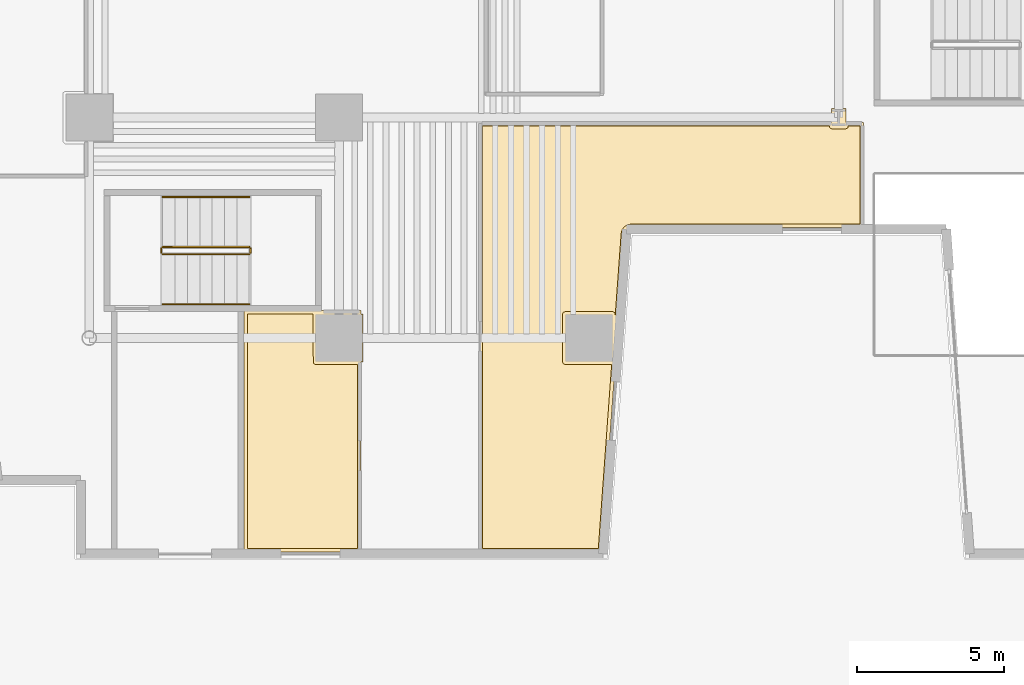
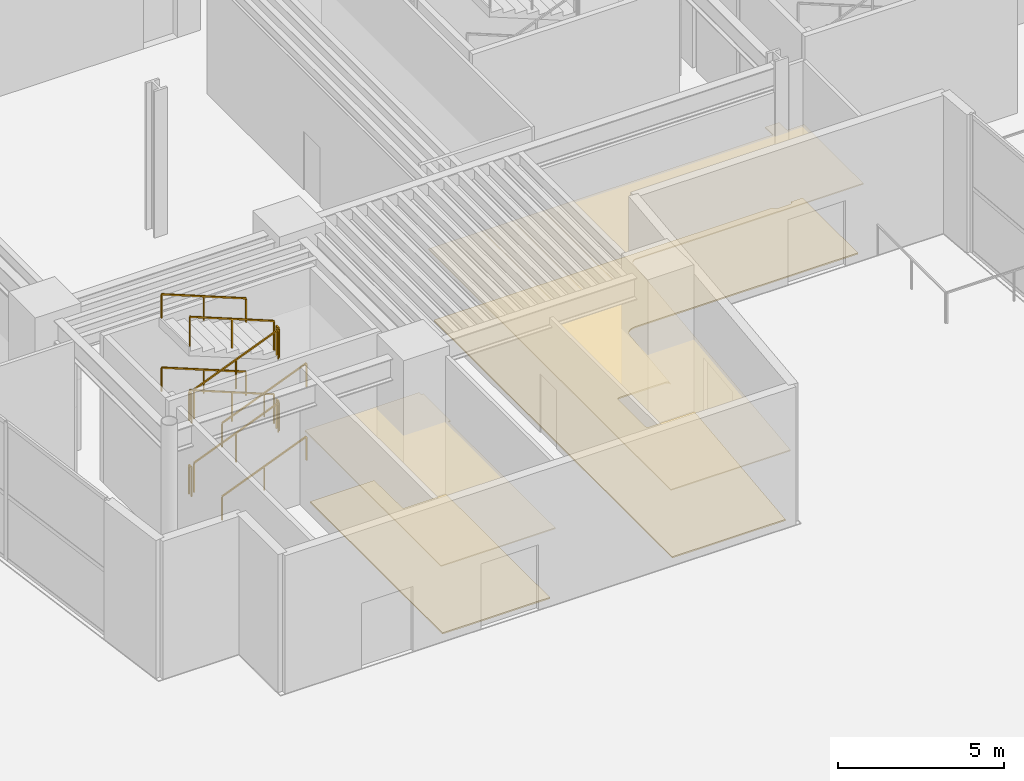
# One storey, part 13 of 18: 12 railings, 4 coverings.
"""IFC4 building model written with IfcOpenShell, lengths in metres."""

from ifc_helpers import new_model, si_unit, direction, frame, origin, origin_2d, place, context, subcontext, project, spatial, polyline, rectangle, outline, extrude, material, layer, layer_set, type_object, element, save


model = new_model("IFC4")

# Units and contexts
model_context = context("Model", 3, precision=1e-05, world=origin(), true_north=direction((0.0, 1.0)))
body_context = subcontext(model_context, "Body", "Model", "MODEL_VIEW")
ifc_project = project(units=[si_unit("LENGTHUNIT", "METRE"), si_unit("AREAUNIT", "SQUARE_METRE"), si_unit("VOLUMEUNIT", "CUBIC_METRE"), si_unit("PLANEANGLEUNIT", "RADIAN"), si_unit("MASSUNIT", "GRAM", prefix="KILO")], contexts=[model_context])

# Site, building, storey
site_placement = place(None, origin())
site = spatial("IfcSite", under=ifc_project, at=site_placement, CompositionType="ELEMENT")
building_placement = place(site_placement, origin())
building = spatial("IfcBuilding", under=site, at=building_placement, Name="Caeloran Harvest Quay", CompositionType="ELEMENT")
storey_placement = place(building_placement, origin())
storey = spatial("IfcBuildingStorey", under=building, at=storey_placement, Name="L01", CompositionType="ELEMENT", Elevation=0.0)

# Coverings
ifc_material_1 = material(Name="Perforated Mineral-Fibre Acoustic Ceiling Tile", Category="ceiling")
ifc_layer_1 = layer(ifc_material_1, 0.0400390625, Name="Perforated Mineral-Fibre Acoustic Ceiling Tile")
ifc_layer_set_1 = layer_set([ifc_layer_1], Name="Perforated Mineral-Fibre Acoustic Ceiling Tile")
covering_type_1 = type_object("IfcCoveringType", Name="COV-CEILING-ACOUSTIC", PredefinedType="CEILING", material=ifc_layer_set_1)
covering_1_placement = place(storey_placement, frame((0.0, 0.0, 2.60009765625)))
element("IfcCovering", 1, at=covering_1_placement, inside=storey, type_object=covering_type_1, Name="South Waterfront Organic Produce Market Stalls Acoustic Ceiling", PredefinedType="CEILING", context=body_context, shape_type="SweptSolid", body=[
    extrude(outline(polyline([(17.739990234375, 0.219970703125), (13.760009765625, 0.219970703125), (13.760009765625, 8.43994140625), (17.739990234375, 8.43994140625), (17.739990234375, 8.320068359375), (17.820068359375, 8.320068359375), (17.820068359375, 6.679931640625), (17.739990234375, 6.679931640625), (17.739990234375, 0.219970703125)])), origin(), (0.0, 0.0, 1.0), 0.039794921875),
])
covering_2_placement = place(storey_placement, frame((0.0, 0.0, 2.60009765625)))
element("IfcCovering", 2, at=covering_2_placement, inside=storey, type_object=covering_type_1, Name="Quayside Bakery and Farm-to-Table Cafe Acoustic Ceiling", PredefinedType="CEILING", context=body_context, shape_type="SweptSolid", body=[
    extrude(outline(polyline([(26.9140625, 11.2587890625), (26.850341796875, 11.24267578125), (26.7783203125, 11.193359375), (26.731201171875, 11.1201171875), (26.716552734375, 11.054931640625), (25.931396484375, 0.219970703125), (21.760009765625, 0.219970703125), (21.760009765625, 14.840087890625), (33.7529296875, 14.840087890625), (33.7529296875, 15.304443359375), (34.2470703125, 15.304443359375), (34.2470703125, 14.840087890625), (34.840087890625, 14.840087890625), (34.840087890625, 11.260009765625), (26.9140625, 11.2587890625)])), origin(), (0.0, 0.0, 1.0), 0.039794921875),
])
ifc_material_2 = material(Name="Calcium-Sulphate Raised Access Floor and Terrazzo Finish", Category="flooring")
ifc_layer_2 = layer(ifc_material_2, 0.050048828125, Name="Calcium-Sulphate Raised Access Floor and Terrazzo Finish")
ifc_layer_set_2 = layer_set([ifc_layer_2], Name="Calcium-Sulphate Raised Access Floor and Terrazzo Finish")
covering_type_2 = type_object("IfcCoveringType", Name="COV-FLOOR-RAISED", PredefinedType="FLOORING", material=ifc_layer_set_2)
covering_3_placement = place(storey_placement, origin())
element("IfcCovering", 3, at=covering_3_placement, inside=storey, type_object=covering_type_2, Name="South Waterfront Organic Produce Market Stalls Raised Finish Flooring", PredefinedType="FLOORING", context=body_context, shape_type="SweptSolid", body=[
    extrude(outline(polyline([(16.105224609375, 8.320068359375), (16.123291015625, 6.63427734375), (16.18505859375, 6.60498046875), (17.6201171875, 6.60498046875), (17.6201171875, 0.340087890625), (13.8798828125, 0.340087890625), (13.8798828125, 8.320068359375), (16.105224609375, 8.320068359375)])), origin(), (0.0, 0.0, 1.0), 0.050048828125),
])
covering_4_placement = place(storey_placement, origin())
element("IfcCovering", 4, at=covering_4_placement, inside=storey, type_object=covering_type_2, Name="Quayside Bakery and Farm-to-Table Cafe Raised Finish Flooring", PredefinedType="FLOORING", context=body_context, shape_type="SweptSolid", body=[
    extrude(outline(polyline([(26.273681640625, 6.60498046875), (25.819580078125, 0.340087890625), (21.8798828125, 0.340087890625), (21.8798828125, 14.719970703125), (33.677978515625, 14.719970703125), (33.6962890625, 14.649658203125), (33.758056640625, 14.62060546875), (34.249755859375, 14.620849609375), (34.30859375, 14.656005859375), (34.322021484375, 14.719970703125), (34.719970703125, 14.719970703125), (34.719970703125, 11.3798828125), (26.93603515625, 11.3798828125), (26.807373046875, 11.354736328125), (26.6953125, 11.27978515625), (26.63134765625, 11.19091796875), (26.597412109375, 11.068603515625), (26.39501953125, 8.278564453125), (26.381591796875, 8.359375), (26.31494140625, 8.39501953125), (24.68505859375, 8.39501953125), (24.63427734375, 8.376708984375), (24.60546875, 8.32275390625), (24.60498046875, 6.68505859375), (24.62841796875, 6.62841796875), (24.68505859375, 6.60498046875), (26.273681640625, 6.60498046875)])), origin(), (0.0, 0.0, 1.0), 0.050048828125),
])

# Railings
ifc_material_3 = material(Name="Painted Steel Baluster and Top-Rail Stair Guard", Category="steel")
ifc_layer_3 = layer(ifc_material_3, 0.050048828125, Name="Painted Steel Baluster and Top-Rail Stair Guard")
ifc_layer_set_3 = layer_set([ifc_layer_3], Name="Painted Steel Baluster and Top-Rail Stair Guard")
railing_type_1 = type_object("IfcRailingType", Name="STAIR-GUARD-1100", PredefinedType="GUARDRAIL", material=ifc_layer_set_3)
railing_1_placement = place(storey_placement, frame((11.0, 10.35009765625, 0.168701171875)))
element("IfcRailing", 5, at=railing_1_placement, inside=storey, type_object=railing_type_1, Name="L01 ST-P1 stair guard 1", PredefinedType="GUARDRAIL", context=body_context, shape_type="SweptSolid", body=[
    extrude(rectangle(XDim=0.048095703125, YDim=0.048095703125, at=origin_2d()), frame((0.0, 0.0, 1.076171875), z_axis=(0.927885657282, 0.0, 0.372864864274), x_axis=(0.0, 1.0, 0.0)), (0.0, 0.0, 1.0), 3.16845703125),
    extrude(rectangle(XDim=0.0419921875, YDim=0.0419921875, at=origin_2d()), origin(), (0.0, 0.0, 1.0), 1.052001953125),
    extrude(rectangle(XDim=0.0419921875, YDim=0.0419921875, at=origin_2d()), frame((1.469970703125, 0.0, 0.5908203125)), (0.0, 0.0, 1.0), 1.052001953125),
    extrude(rectangle(XDim=0.0419921875, YDim=0.0419921875, at=origin_2d()), frame((2.93994140625, 0.0, 1.181396484375)), (0.0, 0.0, 1.0), 1.052001953125),
])
railing_2_placement = place(storey_placement, frame((13.989990234375, 10.39990234375, 1.35009765625)))
element("IfcRailing", 6, at=railing_2_placement, inside=storey, type_object=railing_type_1, Name="L01 ST-P1 stair guard 2", PredefinedType="GUARDRAIL", context=body_context, shape_type="SweptSolid", body=[
    extrude(rectangle(XDim=0.048095703125, YDim=0.048095703125, at=origin_2d()), frame((0.0, 0.0, 1.076171875), z_axis=(0.0, 1.0, 0.0), x_axis=(-1.0, 0.0, 0.0)), (0.0, 0.0, 1.0), 0.150146484375),
    extrude(rectangle(XDim=0.0419921875, YDim=0.0419921875, at=origin_2d()), origin(), (0.0, 0.0, 1.0), 1.052001953125),
    extrude(rectangle(XDim=0.0419921875, YDim=0.0419921875, at=origin_2d()), frame((0.0, 0.150146484375, 0.0)), (0.0, 0.0, 1.0), 1.052001953125),
])
railing_3_placement = place(storey_placement, frame((13.93994140625, 10.60009765625, 1.518798828125)))
element("IfcRailing", 7, at=railing_3_placement, inside=storey, type_object=railing_type_1, Name="L01 ST-P1 stair guard 3", PredefinedType="GUARDRAIL", context=body_context, shape_type="SweptSolid", body=[
    extrude(rectangle(XDim=0.048095703125, YDim=0.048095703125, at=origin_2d()), frame((0.0, 0.0, 1.076171875), z_axis=(-0.927912314548, 0.0, 0.372798519995), x_axis=(0.0, -1.0, 0.0)), (0.0, 0.0, 1.0), 3.16845703125),
    extrude(rectangle(XDim=0.0419921875, YDim=0.0419921875, at=origin_2d()), origin(), (0.0, 0.0, 1.0), 1.052001953125),
    extrude(rectangle(XDim=0.0419921875, YDim=0.0419921875, at=origin_2d()), frame((-1.469970703125, 0.0, 0.590576171875)), (0.0, 0.0, 1.0), 1.052001953125),
    extrude(rectangle(XDim=0.0419921875, YDim=0.0419921875, at=origin_2d()), frame((-2.93994140625, 0.0, 1.18115234375)), (0.0, 0.0, 1.0), 1.052001953125),
])
railing_4_placement = place(storey_placement, frame((10.949951171875, 10.39990234375, 2.699951171875)))
element("IfcRailing", 8, at=railing_4_placement, inside=storey, type_object=railing_type_1, Name="L01 ST-P1 stair guard 4", PredefinedType="GUARDRAIL", context=body_context, shape_type="SweptSolid", body=[
    extrude(rectangle(XDim=0.048095703125, YDim=0.048095703125, at=origin_2d()), frame((0.0, 0.0, 1.076171875), z_axis=(0.0, 1.0, 0.0), x_axis=(-1.0, 0.0, 0.0)), (0.0, 0.0, 1.0), 0.150146484375),
    extrude(rectangle(XDim=0.0419921875, YDim=0.0419921875, at=origin_2d()), origin(), (0.0, 0.0, 1.0), 1.052001953125),
    extrude(rectangle(XDim=0.0419921875, YDim=0.0419921875, at=origin_2d()), frame((0.0, 0.150146484375, 0.0)), (0.0, 0.0, 1.0), 1.052001953125),
])
railing_5_placement = place(storey_placement, frame((11.0, 10.35009765625, 2.86865234375)))
element("IfcRailing", 9, at=railing_5_placement, inside=storey, type_object=railing_type_1, Name="L01 ST-P1 stair guard 5", PredefinedType="GUARDRAIL", context=body_context, shape_type="SweptSolid", body=[
    extrude(rectangle(XDim=0.048095703125, YDim=0.048095703125, at=origin_2d()), frame((0.0, 0.0, 1.076171875), z_axis=(0.927885657282, 0.0, 0.372864864274), x_axis=(0.0, 1.0, 0.0)), (0.0, 0.0, 1.0), 3.16845703125),
    extrude(rectangle(XDim=0.0419921875, YDim=0.0419921875, at=origin_2d()), origin(), (0.0, 0.0, 1.0), 1.052001953125),
    extrude(rectangle(XDim=0.0419921875, YDim=0.0419921875, at=origin_2d()), frame((1.469970703125, 0.0, 0.5908203125)), (0.0, 0.0, 1.0), 1.052001953125),
    extrude(rectangle(XDim=0.0419921875, YDim=0.0419921875, at=origin_2d()), frame((2.93994140625, 0.0, 1.181396484375)), (0.0, 0.0, 1.0), 1.052001953125),
])
railing_6_placement = place(storey_placement, frame((13.989990234375, 10.39990234375, 4.050048828125)))
element("IfcRailing", 10, at=railing_6_placement, inside=storey, type_object=railing_type_1, Name="L01 ST-P1 stair guard 6", PredefinedType="GUARDRAIL", context=body_context, shape_type="SweptSolid", body=[
    extrude(rectangle(XDim=0.048095703125, YDim=0.048095703125, at=origin_2d()), frame((0.0, 0.0, 1.076171875), z_axis=(0.0, 1.0, 0.0), x_axis=(-1.0, 0.0, 0.0)), (0.0, 0.0, 1.0), 0.150146484375),
    extrude(rectangle(XDim=0.0419921875, YDim=0.0419921875, at=origin_2d()), origin(), (0.0, 0.0, 1.0), 1.052001953125),
    extrude(rectangle(XDim=0.0419921875, YDim=0.0419921875, at=origin_2d()), frame((0.0, 0.150146484375, 0.0)), (0.0, 0.0, 1.0), 1.052001953125),
])
railing_7_placement = place(storey_placement, frame((13.93994140625, 10.60009765625, 4.21875)))
element("IfcRailing", 11, at=railing_7_placement, inside=storey, type_object=railing_type_1, Name="L01 ST-P1 stair guard 7", PredefinedType="GUARDRAIL", context=body_context, shape_type="SweptSolid", body=[
    extrude(rectangle(XDim=0.048095703125, YDim=0.048095703125, at=origin_2d()), frame((0.0, 0.0, 1.076171875), z_axis=(-0.927912314548, 0.0, 0.372798519995), x_axis=(0.0, -1.0, 0.0)), (0.0, 0.0, 1.0), 3.16845703125),
    extrude(rectangle(XDim=0.0419921875, YDim=0.0419921875, at=origin_2d()), origin(), (0.0, 0.0, 1.0), 1.052001953125),
    extrude(rectangle(XDim=0.0419921875, YDim=0.0419921875, at=origin_2d()), frame((-1.469970703125, 0.0, 0.590576171875)), (0.0, 0.0, 1.0), 1.052001953125),
    extrude(rectangle(XDim=0.0419921875, YDim=0.0419921875, at=origin_2d()), frame((-2.93994140625, 0.0, 1.18115234375)), (0.0, 0.0, 1.0), 1.052001953125),
])
railing_8_placement = place(storey_placement, frame((10.949951171875, 10.39990234375, 0.0)))
element("IfcRailing", 12, at=railing_8_placement, inside=storey, type_object=railing_type_1, Name="L01 ST-P1 stair guard 8", PredefinedType="GUARDRAIL", context=body_context, shape_type="SweptSolid", body=[
    extrude(rectangle(XDim=0.048095703125, YDim=0.048095703125, at=origin_2d()), frame((0.0, 0.0, 1.076171875), z_axis=(0.0, 1.0, 0.0), x_axis=(-1.0, 0.0, 0.0)), (0.0, 0.0, 1.0), 0.150146484375),
    extrude(rectangle(XDim=0.0419921875, YDim=0.0419921875, at=origin_2d()), origin(), (0.0, 0.0, 1.0), 1.052001953125),
    extrude(rectangle(XDim=0.0419921875, YDim=0.0419921875, at=origin_2d()), frame((0.0, 0.150146484375, 0.0)), (0.0, 0.0, 1.0), 1.052001953125),
])
ifc_material_4 = material(Name="Brushed Stainless Steel Grade 304", Category="steel")
ifc_layer_4 = layer(ifc_material_4, 0.050048828125, Name="Brushed Stainless Steel Grade 304")
ifc_layer_set_4 = layer_set([ifc_layer_4], Name="Brushed Stainless Steel Grade 304")
railing_type_2 = type_object("IfcRailingType", Name="STAIR-HANDRAIL-900", PredefinedType="HANDRAIL", material=ifc_layer_set_4)
railing_9_placement = place(storey_placement, frame((11.0, 8.64990234375, 0.168701171875)))
element("IfcRailing", 13, at=railing_9_placement, inside=storey, type_object=railing_type_2, Name="L01 ST-P1 stair handrail 1", PredefinedType="HANDRAIL", context=body_context, shape_type="SweptSolid", body=[
    extrude(rectangle(XDim=0.048095703125, YDim=0.048095703125, at=origin_2d()), frame((0.0, 0.0, 0.8759765625), z_axis=(0.927885657282, 0.0, 0.372864864274), x_axis=(0.0, 1.0, 0.0)), (0.0, 0.0, 1.0), 3.16845703125),
    extrude(rectangle(XDim=0.0419921875, YDim=0.0419921875, at=origin_2d()), origin(), (0.0, 0.0, 1.0), 0.851806640625),
    extrude(rectangle(XDim=0.0419921875, YDim=0.0419921875, at=origin_2d()), frame((1.469970703125, 0.0, 0.5908203125)), (0.0, 0.0, 1.0), 0.851806640625),
    extrude(rectangle(XDim=0.0419921875, YDim=0.0419921875, at=origin_2d()), frame((2.93994140625, 0.0, 1.181396484375)), (0.0, 0.0, 1.0), 0.851806640625),
])
railing_10_placement = place(storey_placement, frame((13.93994140625, 12.300048828125, 1.518798828125)))
element("IfcRailing", 14, at=railing_10_placement, inside=storey, type_object=railing_type_2, Name="L01 ST-P1 stair handrail 2", PredefinedType="HANDRAIL", context=body_context, shape_type="SweptSolid", body=[
    extrude(rectangle(XDim=0.048095703125, YDim=0.048095703125, at=origin_2d()), frame((0.0, 0.0, 0.8759765625), z_axis=(-0.927912314548, 0.0, 0.372798519995), x_axis=(0.0, -1.0, 0.0)), (0.0, 0.0, 1.0), 3.16845703125),
    extrude(rectangle(XDim=0.0419921875, YDim=0.0419921875, at=origin_2d()), origin(), (0.0, 0.0, 1.0), 0.851806640625),
    extrude(rectangle(XDim=0.0419921875, YDim=0.0419921875, at=origin_2d()), frame((-1.469970703125, 0.0, 0.590576171875)), (0.0, 0.0, 1.0), 0.851806640625),
    extrude(rectangle(XDim=0.0419921875, YDim=0.0419921875, at=origin_2d()), frame((-2.93994140625, 0.0, 1.18115234375)), (0.0, 0.0, 1.0), 0.851806640625),
])
railing_11_placement = place(storey_placement, frame((11.0, 8.64990234375, 2.86865234375)))
element("IfcRailing", 15, at=railing_11_placement, inside=storey, type_object=railing_type_2, Name="L01 ST-P1 stair handrail 3", PredefinedType="HANDRAIL", context=body_context, shape_type="SweptSolid", body=[
    extrude(rectangle(XDim=0.048095703125, YDim=0.048095703125, at=origin_2d()), frame((0.0, 0.0, 0.8759765625), z_axis=(0.927885657282, 0.0, 0.372864864274), x_axis=(0.0, 1.0, 0.0)), (0.0, 0.0, 1.0), 3.16845703125),
    extrude(rectangle(XDim=0.0419921875, YDim=0.0419921875, at=origin_2d()), origin(), (0.0, 0.0, 1.0), 0.851806640625),
    extrude(rectangle(XDim=0.0419921875, YDim=0.0419921875, at=origin_2d()), frame((1.469970703125, 0.0, 0.5908203125)), (0.0, 0.0, 1.0), 0.851806640625),
    extrude(rectangle(XDim=0.0419921875, YDim=0.0419921875, at=origin_2d()), frame((2.93994140625, 0.0, 1.181396484375)), (0.0, 0.0, 1.0), 0.851806640625),
])
railing_12_placement = place(storey_placement, frame((13.93994140625, 12.300048828125, 4.21875)))
element("IfcRailing", 16, at=railing_12_placement, inside=storey, type_object=railing_type_2, Name="L01 ST-P1 stair handrail 4", PredefinedType="HANDRAIL", context=body_context, shape_type="SweptSolid", body=[
    extrude(rectangle(XDim=0.048095703125, YDim=0.048095703125, at=origin_2d()), frame((0.0, 0.0, 0.8759765625), z_axis=(-0.927912314548, 0.0, 0.372798519995), x_axis=(0.0, -1.0, 0.0)), (0.0, 0.0, 1.0), 3.16845703125),
    extrude(rectangle(XDim=0.0419921875, YDim=0.0419921875, at=origin_2d()), origin(), (0.0, 0.0, 1.0), 0.851806640625),
    extrude(rectangle(XDim=0.0419921875, YDim=0.0419921875, at=origin_2d()), frame((-1.469970703125, 0.0, 0.590576171875)), (0.0, 0.0, 1.0), 0.851806640625),
    extrude(rectangle(XDim=0.0419921875, YDim=0.0419921875, at=origin_2d()), frame((-2.93994140625, 0.0, 1.18115234375)), (0.0, 0.0, 1.0), 0.851806640625),
])

save(model, "model.ifc")
